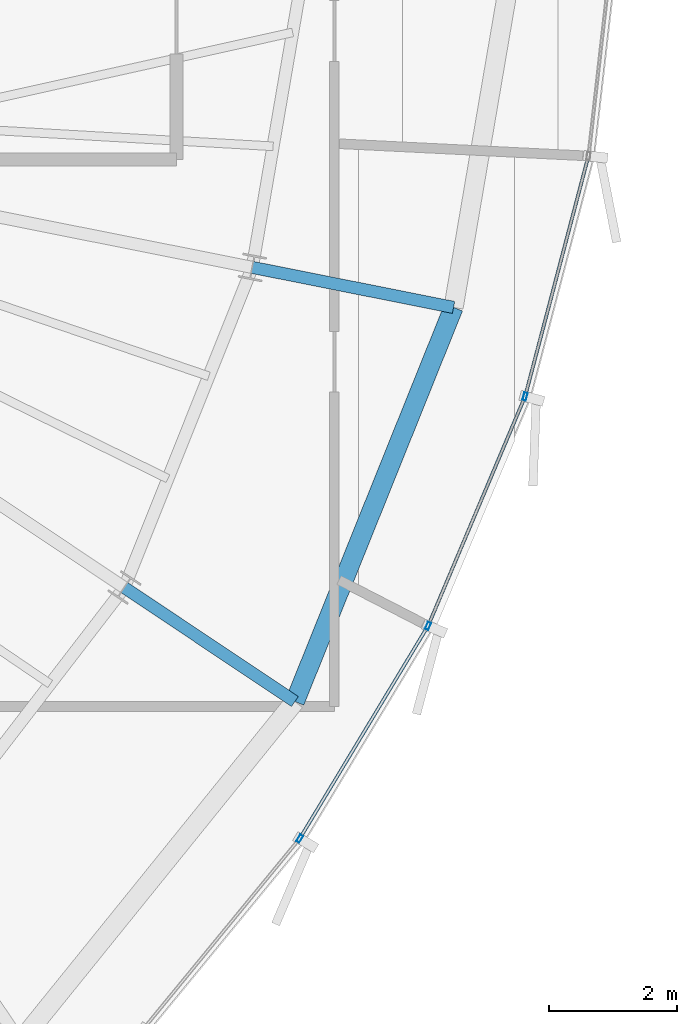
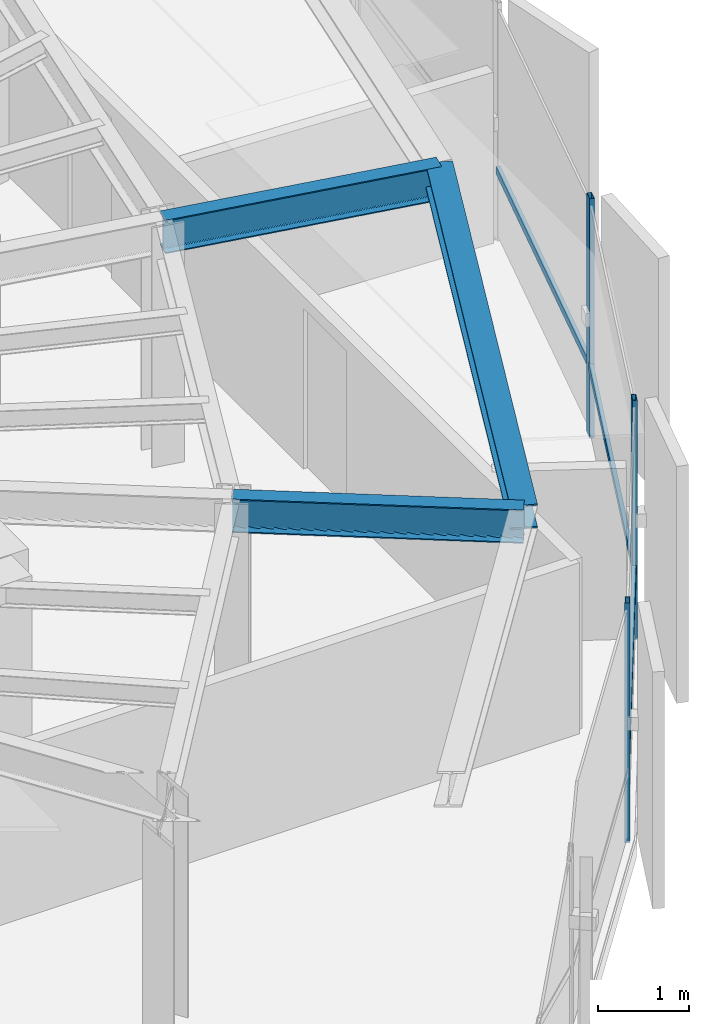
# One storey, part 14 of 31: 6 members, 3 beams, 1 element without a shape of its own.
"""IFC4 building model written with IfcOpenShell, lengths in metres."""

from ifc_helpers import new_model, si_unit, direction, frame, origin, origin_2d, place, context, subcontext, project, spatial, hollow_rectangle, i_section, extrude, source, transform, mapped, material, layer, layer_set, material_profile, profile_set, type_object, element, aggregate, save


model = new_model("IFC4")

# Units and contexts
model_context = context("Model", 3, precision=1e-05, world=origin(), true_north=direction((0.0, 1.0)))
body_context = subcontext(model_context, "Body", "Model", "MODEL_VIEW")
ifc_project = project(units=[si_unit("LENGTHUNIT", "METRE"), si_unit("AREAUNIT", "SQUARE_METRE"), si_unit("VOLUMEUNIT", "CUBIC_METRE"), si_unit("PLANEANGLEUNIT", "RADIAN"), si_unit("MASSUNIT", "GRAM", prefix="KILO"), si_unit("THERMODYNAMICTEMPERATUREUNIT", "KELVIN")], contexts=[model_context])

# Site, building, storey
site_placement = place(None, origin())
site = spatial("IfcSite", under=ifc_project, at=site_placement, CompositionType="ELEMENT")
building_placement = place(site_placement, origin())
building = spatial("IfcBuilding", under=site, at=building_placement, Name="Kethvar Cultural Tower", CompositionType="ELEMENT")
storey_placement = place(building_placement, frame((0.0, 0.0, 287.050048828125)))
storey = spatial("IfcBuildingStorey", under=building, at=storey_placement, Name="L76", CompositionType="ELEMENT", Elevation=287.050048828125)

# Beams
ifc_material_1 = material(Name="Steel S355J2", Category="steel")
ifc_material_profile_1 = material_profile(ifc_material_1, i_section(OverallWidth=0.18994140625, OverallDepth=0.449951171875, WebThickness=0.009521484375, FlangeThickness=0.0146484375, FilletRadius=0.02099609375, at=origin_2d()), Name="Steel S355J2 — IPE450")
ifc_profile_set_1 = profile_set([ifc_material_profile_1], Name="Steel S355J2 — IPE450")
beam_type_1 = type_object("IfcBeamType", Name="BM-IPE450", PredefinedType="BEAM", material=ifc_profile_set_1)
shared_shape_1 = source(origin(), body_context, "Body", "SweptSolid", [
    extrude(i_section(OverallWidth=0.18994140625, OverallDepth=0.449951171875, WebThickness=0.009521484375, FlangeThickness=0.0146484375, FilletRadius=0.02099609375, at=origin_2d()), origin(), (0.0, 0.0, 1.0), 3.199951171875),
])
for number, where, z_axis, x_axis, name in (
    (1, (58.287109375, 20.12451171875, 2.98291015625), (0.831462943996, -0.555580212716, 0.0), (0.555580212716, 0.831462943996, 0.0), "L76 Perimeter Cantilever Beam RC-15"),
    (2, (60.28369140625, 25.117919921875, 2.98291015625), (0.980785550224, -0.195088965533, 0.0), (0.195088965533, 0.980785550224, 0.0), "L76 Perimeter Cantilever Beam RC-16"),
):
    element("IfcBeam", number, at=place(storey_placement, frame(where, z_axis=z_axis, x_axis=x_axis)), inside=storey, type_object=beam_type_1, Name=name, PredefinedType="BEAM", context=body_context, shape_type="MappedRepresentation", body=[
        mapped(shared_shape_1, transform((0.0, 0.0, 0.0), scale=1.0)),
    ])
ifc_material_profile_2 = material_profile(ifc_material_1, i_section(OverallWidth=0.300048828125, OverallDepth=0.320068359375, WebThickness=0.011474609375, FlangeThickness=0.0205078125, FilletRadius=0.027099609375, at=origin_2d()), Name="Steel S355J2 — HEB320")
ifc_profile_set_2 = profile_set([ifc_material_profile_2], Name="Steel S355J2 — HEB320")
beam_type_2 = type_object("IfcBeamType", Name="BM-SP320", PredefinedType="SPANDREL", material=ifc_profile_set_2)
shared_shape_2 = source(origin(), body_context, "Body", "SweptSolid", [
    extrude(i_section(OverallWidth=0.300048828125, OverallDepth=0.320068359375, WebThickness=0.011474609375, FlangeThickness=0.0205078125, FilletRadius=0.027099609375, at=origin_2d()), origin(), (0.0, 0.0, 1.0), 6.626220703125),
])
beam_placement = place(storey_placement, frame((60.94775390625, 18.3466796875, 3.0478515625), z_axis=(0.373416224197, 0.927663906545, 0.0), x_axis=(-0.927663906545, 0.373416224197, 0.0)))
element("IfcBeam", 3, at=beam_placement, inside=storey, type_object=beam_type_2, Name="L76 Perimeter Spandrel Beam SP-15", PredefinedType="SPANDREL", context=body_context, shape_type="MappedRepresentation", body=[
    mapped(shared_shape_2, transform((0.0, 0.0, 0.0), scale=1.0)),
])

# Curtain wall, members
ifc_material_2 = material(Name="Aluminium 6063-T6", Category="aluminium")
ifc_layer = layer(ifc_material_2, 0.179931640625, Name="Aluminium 6063-T6", Category="aluminium")
ifc_layer_set = layer_set([ifc_layer], Name="Aluminium 6063-T6 (180 mm)")
curtain_wall_type = type_object("IfcCurtainWallType", Name="CW-SYS-05-Z56", PredefinedType="NOTDEFINED", material=ifc_layer_set)
curtain_wall_placement = place(storey_placement, origin())
curtain_wall = element("IfcCurtainWall", 4, at=curtain_wall_placement, inside=storey, type_object=curtain_wall_type, Name="L76 Curtain Wall Run 05", PredefinedType="NOTDEFINED")
ifc_material_profile_3 = material_profile(ifc_material_2, hollow_rectangle(XDim=0.054931640625, YDim=0.1201171875, WallThickness=0.00390625, at=origin_2d()), Name="Aluminium 6063-T6 — RHS120x55x4")
ifc_profile_set_3 = profile_set([ifc_material_profile_3], Name="Aluminium 6063-T6 — RHS120x55x4")
member_type_1 = type_object("IfcMemberType", Name="CW-SYS-05-Z56-MUL", PredefinedType="MULLION", material=ifc_profile_set_3)
shared_shape_3 = source(origin(), body_context, "Body", "SweptSolid", [
    extrude(hollow_rectangle(XDim=0.054931640625, YDim=0.1201171875, WallThickness=0.00390625, at=origin_2d()), origin(), (0.0, 0.0, 1.0), 3.2099609375),
])
member_1_placement = place(storey_placement, frame((61.0224609375, 16.207763671875, 0.0), z_axis=(0.0, 0.0, 1.0), x_axis=(-0.856240037805, 0.516578162198, 0.0)))
member_1 = element("IfcMember", 5, at=member_1_placement, type_object=member_type_1, Name="CW-L76-R05 Mullion 3", PredefinedType="MULLION", context=body_context, shape_type="MappedRepresentation", body=[
    mapped(shared_shape_3, transform((0.0, 0.0, 0.0), scale=1.0)),
])
member_2_placement = place(storey_placement, frame((63.02490234375, 19.52490234375, 0.0), z_axis=(0.0, 0.0, 1.0), x_axis=(-0.921124270754, 0.389268644804, 0.0)))
member_2 = element("IfcMember", 6, at=member_2_placement, type_object=member_type_1, Name="CW-L76-R05 Mullion 4", PredefinedType="MULLION", context=body_context, shape_type="MappedRepresentation", body=[
    mapped(shared_shape_3, transform((0.0, 0.0, 0.0), scale=1.0)),
])
member_3_placement = place(storey_placement, frame((64.5380859375, 23.10302734375, 0.0), z_axis=(0.0, 0.0, 1.0), x_axis=(-0.96703705104, 0.254635704322, 0.0)))
member_3 = element("IfcMember", 7, at=member_3_placement, type_object=member_type_1, Name="CW-L76-R05 Mullion 5", PredefinedType="MULLION", context=body_context, shape_type="MappedRepresentation", body=[
    mapped(shared_shape_3, transform((0.0, 0.0, 0.0), scale=1.0)),
])
ifc_material_profile_4 = material_profile(ifc_material_2, hollow_rectangle(XDim=0.050048828125, YDim=0.10009765625, WallThickness=0.00390625, at=origin_2d()), Name="Aluminium 6063-T6 — RHS100x50x4")
ifc_profile_set_4 = profile_set([ifc_material_profile_4], Name="Aluminium 6063-T6 — RHS100x50x4")
member_type_2 = type_object("IfcMemberType", Name="CW-SYS-05-Z56-TRN", PredefinedType="USERDEFINED", material=ifc_profile_set_4)
shared_shape_4 = source(origin(), body_context, "Body", "SweptSolid", [
    extrude(hollow_rectangle(XDim=0.050048828125, YDim=0.10009765625, WallThickness=0.00390625, at=origin_2d()), origin(), (0.0, 0.0, 1.0), 3.820068359375),
])
member_4_placement = place(storey_placement, frame((63.040283203125, 19.561279296875, 0.949951171875), z_axis=(0.389270938054, 0.92112330162, 0.0), x_axis=(-0.92112330162, 0.389270938054, 0.0)))
member_4 = element("IfcMember", 8, at=member_4_placement, type_object=member_type_2, Name="CW-L76-R05 Transom 4", ObjectType="TRANSOM", PredefinedType="USERDEFINED", context=body_context, shape_type="MappedRepresentation", body=[
    mapped(shared_shape_4, transform((0.0, 0.0, 0.0), scale=1.0)),
])
shared_shape_5 = source(origin(), body_context, "Body", "SweptSolid", [
    extrude(hollow_rectangle(XDim=0.050048828125, YDim=0.10009765625, WallThickness=0.00390625, at=origin_2d()), origin(), (0.0, 0.0, 1.0), 3.809814453125),
])
member_5_placement = place(storey_placement, frame((61.04296875, 16.24169921875, 0.949951171875), z_axis=(0.516558054902, 0.856252168415, 0.0), x_axis=(-0.856252168415, 0.516558054902, 0.0)))
member_5 = element("IfcMember", 9, at=member_5_placement, type_object=member_type_2, Name="CW-L76-R05 Transom 3", ObjectType="TRANSOM", PredefinedType="USERDEFINED", context=body_context, shape_type="MappedRepresentation", body=[
    mapped(shared_shape_5, transform((0.0, 0.0, 0.0), scale=1.0)),
])
shared_shape_6 = source(origin(), body_context, "Body", "SweptSolid", [
    extrude(hollow_rectangle(XDim=0.050048828125, YDim=0.10009765625, WallThickness=0.00390625, at=origin_2d()), origin(), (0.0, 0.0, 1.0), 3.8154296875),
])
member_6_placement = place(storey_placement, frame((64.54833984375, 23.141357421875, 0.949951171875), z_axis=(0.254606684895, 0.967044691835, 0.0), x_axis=(-0.967044691835, 0.254606684895, 0.0)))
member_6 = element("IfcMember", 10, at=member_6_placement, type_object=member_type_2, Name="CW-L76-R05 Transom 5", ObjectType="TRANSOM", PredefinedType="USERDEFINED", context=body_context, shape_type="MappedRepresentation", body=[
    mapped(shared_shape_6, transform((0.0, 0.0, 0.0), scale=1.0)),
])
aggregate(curtain_wall, [member_1, member_2, member_3, member_5, member_4, member_6])

save(model, "model.ifc")
